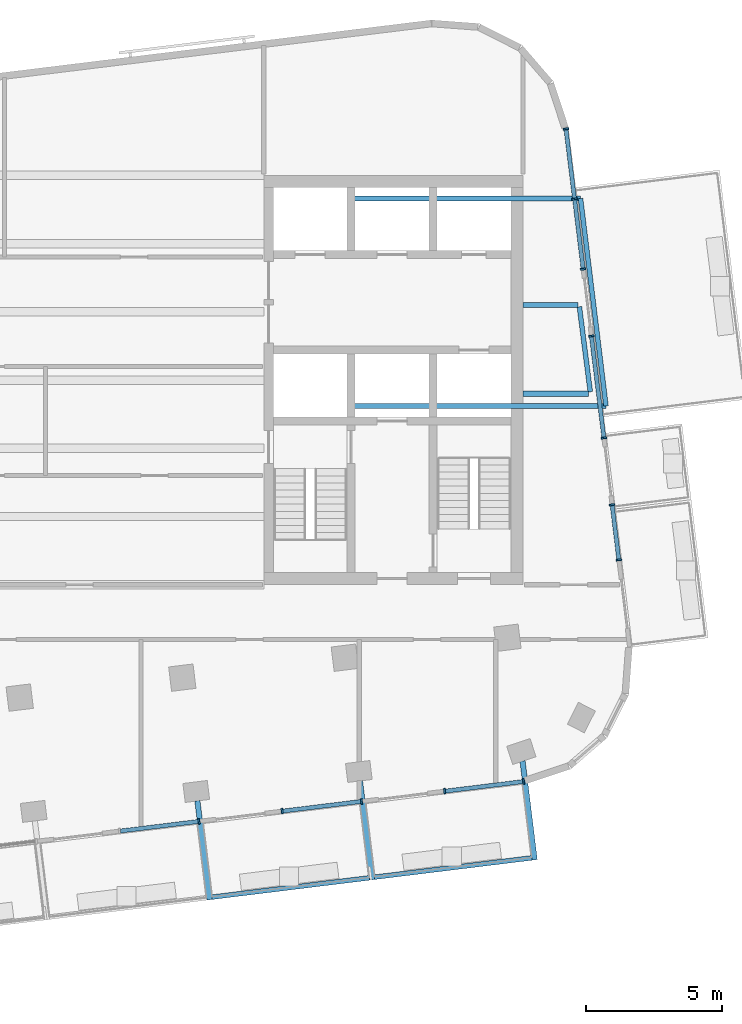
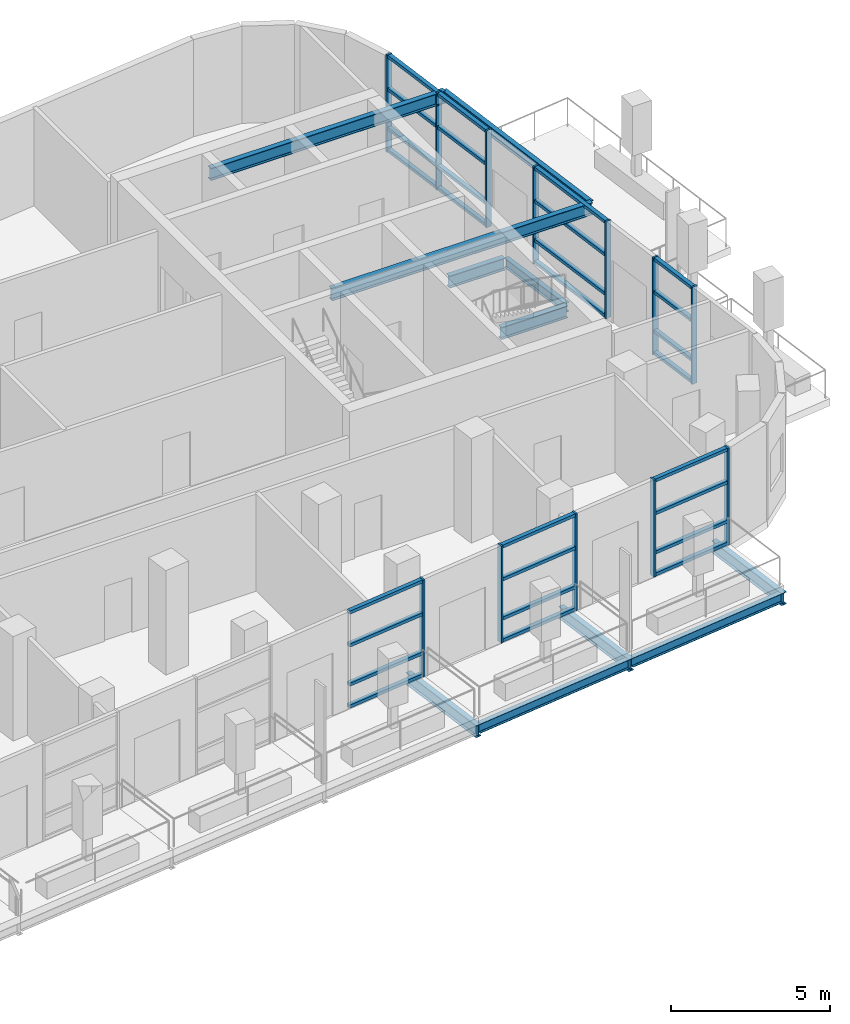
# One storey, part 4 of 14: 40 members, 11 beams, 6 elements without a shape of their own.
"""IFC4 building model written with IfcOpenShell, lengths in metres."""

from ifc_helpers import new_model, si_unit, direction, frame, origin, origin_2d, place, context, subcontext, project, spatial, rectangle, i_section, extrude, material, layer, layer_set, material_profile, profile_set, type_object, element, aggregate, save


model = new_model("IFC4")

# Units and contexts
model_context = context("Model", 3, precision=1e-05, world=origin(), true_north=direction((0.0, 1.0)))
body_context = subcontext(model_context, "Body", "Model", "MODEL_VIEW")
ifc_project = project(units=[si_unit("LENGTHUNIT", "METRE"), si_unit("AREAUNIT", "SQUARE_METRE"), si_unit("VOLUMEUNIT", "CUBIC_METRE"), si_unit("PLANEANGLEUNIT", "RADIAN"), si_unit("MASSUNIT", "GRAM", prefix="KILO")], contexts=[model_context])

# Site, building, storey
site_placement = place(None, origin())
site = spatial("IfcSite", under=ifc_project, at=site_placement, CompositionType="ELEMENT")
building_placement = place(site_placement, origin())
building = spatial("IfcBuilding", under=site, at=building_placement, Name="Torana Hotel and Residences", CompositionType="ELEMENT")
storey_placement = place(building_placement, frame((0.0, 0.0, 318.60009765625)))
storey = spatial("IfcBuildingStorey", under=building, at=storey_placement, Name="L84", CompositionType="ELEMENT", Elevation=318.60009765625)

# Beams
ifc_material_1 = material(Name="Steel S355", Category="steel")
ifc_material_profile_1 = material_profile(ifc_material_1, i_section(OverallWidth=0.19287109375, OverallDepth=0.46728515625, WebThickness=0.011474609375, FlangeThickness=0.01953125, FilletRadius=0.01025390625, at=origin_2d()), Name="457x191x98 UB")
ifc_profile_set_1 = profile_set([ifc_material_profile_1], Name="Steel S355")
beam_type_1 = type_object("IfcBeamType", Name="BALCONY CANTILEVER BEAM 457x191x98 UB", PredefinedType="BEAM", material=ifc_profile_set_1)
beam_1_placement = place(storey_placement, frame((7.568359375, -22.910400390625, -0.513671875), z_axis=(0.122014669663, -0.992528297021, 0.0), x_axis=(0.992528297021, 0.122014669663, 0.0)))
element("IfcBeam", 1, at=beam_1_placement, inside=storey, type_object=beam_type_1, Name="Balcony cantilever beam", PredefinedType="BEAM", context=body_context, shape_type="SweptSolid", body=[
    extrude(i_section(OverallWidth=0.19287109375, OverallDepth=0.46728515625, WebThickness=0.011474609375, FlangeThickness=0.01953125, FilletRadius=0.01025390625, at=origin_2d()), origin(), (0.0, 0.0, 1.0), 3.65966796875),
])
beam_2_placement = place(storey_placement, frame((13.5244140625, -22.178466796875, -0.513671875), z_axis=(0.12179331453, -0.992555483858, 0.0), x_axis=(0.992555483858, 0.12179331453, 0.0)))
element("IfcBeam", 2, at=beam_2_placement, inside=storey, type_object=beam_type_1, Name="Balcony cantilever beam", PredefinedType="BEAM", context=body_context, shape_type="SweptSolid", body=[
    extrude(i_section(OverallWidth=0.19287109375, OverallDepth=0.46728515625, WebThickness=0.011474609375, FlangeThickness=0.01953125, FilletRadius=0.01025390625, at=origin_2d()), origin(), (0.0, 0.0, 1.0), 3.660400390625),
])
beam_3_placement = place(storey_placement, frame((19.480224609375, -21.454345703125, -0.513671875), z_axis=(0.12183008487, -0.992550971195, 0.0), x_axis=(0.992550971195, 0.12183008487, 0.0)))
element("IfcBeam", 3, at=beam_3_placement, inside=storey, type_object=beam_type_1, Name="Balcony cantilever beam", PredefinedType="BEAM", context=body_context, shape_type="SweptSolid", body=[
    extrude(i_section(OverallWidth=0.19287109375, OverallDepth=0.46728515625, WebThickness=0.011474609375, FlangeThickness=0.01953125, FilletRadius=0.01025390625, at=origin_2d()), origin(), (0.0, 0.0, 1.0), 3.653076171875),
])
beam_4_placement = place(storey_placement, frame((19.489990234375, -8.0, -0.513671875), z_axis=(1.0, 0.0, 0.0), x_axis=(0.0, 1.0, 0.0)))
element("IfcBeam", 4, at=beam_4_placement, inside=storey, type_object=beam_type_1, Name="Balcony cantilever beam", PredefinedType="BEAM", context=body_context, shape_type="SweptSolid", body=[
    extrude(i_section(OverallWidth=0.19287109375, OverallDepth=0.46728515625, WebThickness=0.011474609375, FlangeThickness=0.01953125, FilletRadius=0.01025390625, at=origin_2d()), origin(), (0.0, 0.0, 1.0), 2.41552734375),
])
beam_5_placement = place(storey_placement, frame((19.489990234375, -4.75, -0.513671875), z_axis=(1.0, 0.0, 0.0), x_axis=(0.0, 1.0, 0.0)))
element("IfcBeam", 5, at=beam_5_placement, inside=storey, type_object=beam_type_1, Name="Balcony cantilever beam", PredefinedType="BEAM", context=body_context, shape_type="SweptSolid", body=[
    extrude(i_section(OverallWidth=0.19287109375, OverallDepth=0.46728515625, WebThickness=0.011474609375, FlangeThickness=0.01953125, FilletRadius=0.01025390625, at=origin_2d()), origin(), (0.0, 0.0, 1.0), 2.016357421875),
])
beam_6_placement = place(storey_placement, frame((22.537353515625, -8.449951171875, 3.486328125), z_axis=(-1.0, 0.0, 0.0), x_axis=(0.0, -1.0, 0.0)))
element("IfcBeam", 6, at=beam_6_placement, inside=storey, type_object=beam_type_1, Name="Balcony cantilever beam", PredefinedType="BEAM", context=body_context, shape_type="SweptSolid", body=[
    extrude(i_section(OverallWidth=0.19287109375, OverallDepth=0.46728515625, WebThickness=0.011474609375, FlangeThickness=0.01953125, FilletRadius=0.01025390625, at=origin_2d()), origin(), (0.0, 0.0, 1.0), 9.437255859375),
])
beam_7_placement = place(storey_placement, frame((21.60400390625, -0.85009765625, 3.486328125), z_axis=(-1.0, 0.0, 0.0), x_axis=(0.0, -1.0, 0.0)))
element("IfcBeam", 7, at=beam_7_placement, inside=storey, type_object=beam_type_1, Name="Balcony cantilever beam", PredefinedType="BEAM", context=body_context, shape_type="SweptSolid", body=[
    extrude(i_section(OverallWidth=0.19287109375, OverallDepth=0.46728515625, WebThickness=0.011474609375, FlangeThickness=0.01953125, FilletRadius=0.01025390625, at=origin_2d()), origin(), (0.0, 0.0, 1.0), 8.50390625),
])
ifc_material_2 = material(Name="Steel S355", Category="steel")
ifc_material_profile_2 = material_profile(ifc_material_2, i_section(OverallWidth=0.173095703125, OverallDepth=0.36328125, WebThickness=0.009033203125, FlangeThickness=0.015625, FilletRadius=0.01025390625, at=origin_2d()), Name="356x171x67 UB")
ifc_profile_set_2 = profile_set([ifc_material_profile_2], Name="Steel S355")
beam_type_2 = type_object("IfcBeamType", Name="BALCONY TIP BEAM 356x171x67 UB", PredefinedType="BEAM", material=ifc_profile_set_2)
beam_8_placement = place(storey_placement, frame((13.8935546875, -25.733642578125, -0.4619140625), z_axis=(-0.992544426795, -0.121883390327, 0.0), x_axis=(0.121883390327, -0.992544426795, 0.0)))
element("IfcBeam", 8, at=beam_8_placement, inside=storey, type_object=beam_type_2, Name="Balcony tip beam", PredefinedType="BEAM", context=body_context, shape_type="SweptSolid", body=[
    extrude(i_section(OverallWidth=0.173095703125, OverallDepth=0.36328125, WebThickness=0.009033203125, FlangeThickness=0.015625, FilletRadius=0.01025390625, at=origin_2d()), origin(), (0.0, 0.0, 1.0), 5.866943359375),
])
beam_9_placement = place(storey_placement, frame((19.848876953125, -25.00244140625, -0.4619140625), z_axis=(-0.992545044936, -0.121878356459, 0.0), x_axis=(0.121878356459, -0.992545044936, 0.0)))
element("IfcBeam", 9, at=beam_9_placement, inside=storey, type_object=beam_type_2, Name="Balcony tip beam", PredefinedType="BEAM", context=body_context, shape_type="SweptSolid", body=[
    extrude(i_section(OverallWidth=0.173095703125, OverallDepth=0.36328125, WebThickness=0.009033203125, FlangeThickness=0.015625, FilletRadius=0.01025390625, at=origin_2d()), origin(), (0.0, 0.0, 1.0), 5.8671875),
])
beam_10_placement = place(storey_placement, frame((21.9619140625, -7.93359375, -0.4619140625), z_axis=(-0.126940899221, 0.991910282286, 0.0), x_axis=(-0.991910282286, -0.126940899221, 0.0)))
element("IfcBeam", 10, at=beam_10_placement, inside=storey, type_object=beam_type_2, Name="Balcony tip beam", PredefinedType="BEAM", context=body_context, shape_type="SweptSolid", body=[
    extrude(i_section(OverallWidth=0.173095703125, OverallDepth=0.36328125, WebThickness=0.009033203125, FlangeThickness=0.015625, FilletRadius=0.01025390625, at=origin_2d()), origin(), (0.0, 0.0, 1.0), 3.142578125),
])
beam_11_placement = place(storey_placement, frame((22.537353515625, -8.449951171875, 3.5380859375), z_axis=(-0.1218957101, 0.992542913863, 0.0), x_axis=(-0.992542913863, -0.1218957101, 0.0)))
element("IfcBeam", 11, at=beam_11_placement, inside=storey, type_object=beam_type_2, Name="Balcony tip beam", PredefinedType="BEAM", context=body_context, shape_type="SweptSolid", body=[
    extrude(i_section(OverallWidth=0.173095703125, OverallDepth=0.36328125, WebThickness=0.009033203125, FlangeThickness=0.015625, FilletRadius=0.01025390625, at=origin_2d()), origin(), (0.0, 0.0, 1.0), 7.656982421875),
])

# Curtain wall, member
ifc_material_3 = material(Name="Dark anodised aluminium", Category="aluminium")
ifc_layer = layer(ifc_material_3, 0.199951171875)
ifc_layer_set = layer_set([ifc_layer], Name="CW3 SKY CLUB UNITISED CURTAIN WALL")
curtain_wall_type = type_object("IfcCurtainWallType", Name="CW3 SKY CLUB UNITISED CURTAIN WALL", PredefinedType="NOTDEFINED", material=ifc_layer_set)
curtain_wall_1_placement = place(storey_placement, origin())
curtain_wall_1 = element("IfcCurtainWall", 12, at=curtain_wall_1_placement, inside=storey, type_object=curtain_wall_type, Name="Curtain wall CW3 L84 e0.14-8", PredefinedType="NOTDEFINED")
ifc_material_4 = material(Name="Dark anodised aluminium", Category="aluminium")
ifc_material_profile_3 = material_profile(ifc_material_4, rectangle(XDim=0.199951171875, YDim=0.070068359375, at=origin_2d()), Name="CW3 MULLION 70x200")
ifc_profile_set_3 = profile_set([ifc_material_profile_3], Name="Dark anodised aluminium")
member_type_1 = type_object("IfcMemberType", Name="CW3 MULLION 70x200", PredefinedType="MULLION", material=ifc_profile_set_3)
member_1_placement = place(storey_placement, frame((7.626708984375, -23.668701171875, 0.0), z_axis=(0.0, 0.0, 1.0), x_axis=(-0.121868256929, 0.992546285043, 0.0)))
member_1 = element("IfcMember", 13, at=member_1_placement, type_object=member_type_1, Name="CW3 mullion 2", PredefinedType="MULLION", context=body_context, shape_type="SweptSolid", body=[
    extrude(rectangle(XDim=0.199951171875, YDim=0.070068359375, at=origin_2d()), origin(), (0.0, 0.0, 1.0), 3.719970703125),
])

# Curtain wall, members
curtain_wall_2_placement = place(storey_placement, origin())
curtain_wall_2 = element("IfcCurtainWall", 14, at=curtain_wall_2_placement, inside=storey, type_object=curtain_wall_type, Name="Curtain wall CW3 L84 e0.14-10", PredefinedType="NOTDEFINED")
member_2_placement = place(storey_placement, frame((10.673828125, -23.29443359375, 0.0), z_axis=(0.0, 0.0, 1.0), x_axis=(-0.121868256929, 0.992546285043, 0.0)))
member_2 = element("IfcMember", 15, at=member_2_placement, type_object=member_type_1, Name="CW3 mullion 1", PredefinedType="MULLION", context=body_context, shape_type="SweptSolid", body=[
    extrude(rectangle(XDim=0.199951171875, YDim=0.070068359375, at=origin_2d()), origin(), (0.0, 0.0, 1.0), 3.719970703125),
])
member_3_placement = place(storey_placement, frame((13.58203125, -22.9375, 0.0), z_axis=(0.0, 0.0, 1.0), x_axis=(-0.121868256929, 0.992546285043, 0.0)))
member_3 = element("IfcMember", 16, at=member_3_placement, type_object=member_type_1, Name="CW3 mullion 2", PredefinedType="MULLION", context=body_context, shape_type="SweptSolid", body=[
    extrude(rectangle(XDim=0.199951171875, YDim=0.070068359375, at=origin_2d()), origin(), (0.0, 0.0, 1.0), 3.719970703125),
])

curtain_wall_3_placement = place(storey_placement, origin())
curtain_wall_3 = element("IfcCurtainWall", 17, at=curtain_wall_3_placement, inside=storey, type_object=curtain_wall_type, Name="Curtain wall CW3 L84 e0.14-12", PredefinedType="NOTDEFINED")
member_4_placement = place(storey_placement, frame((16.629150390625, -22.563232421875, 0.0), z_axis=(0.0, 0.0, 1.0), x_axis=(-0.121862839581, 0.992546950189, 0.0)))
member_4 = element("IfcMember", 18, at=member_4_placement, type_object=member_type_1, Name="CW3 mullion 1", PredefinedType="MULLION", context=body_context, shape_type="SweptSolid", body=[
    extrude(rectangle(XDim=0.199951171875, YDim=0.070068359375, at=origin_2d()), origin(), (0.0, 0.0, 1.0), 3.719970703125),
])
member_5_placement = place(storey_placement, frame((19.512939453125, -22.209228515625, 0.0), z_axis=(0.0, 0.0, 1.0), x_axis=(-0.121862839581, 0.992546950189, 0.0)))
member_5 = element("IfcMember", 19, at=member_5_placement, type_object=member_type_1, Name="CW3 mullion 2", PredefinedType="MULLION", context=body_context, shape_type="SweptSolid", body=[
    extrude(rectangle(XDim=0.199951171875, YDim=0.070068359375, at=origin_2d()), origin(), (0.0, 0.0, 1.0), 3.719970703125),
])

curtain_wall_4_placement = place(storey_placement, origin())
curtain_wall_4 = element("IfcCurtainWall", 20, at=curtain_wall_4_placement, inside=storey, type_object=curtain_wall_type, Name="Curtain wall CW3 L84 e0.19-2", PredefinedType="NOTDEFINED")
member_6_placement = place(storey_placement, frame((23.0087890625, -14.087646484375, 0.0), z_axis=(0.0, 0.0, 1.0), x_axis=(-0.992540827019, -0.121912701141, 0.0)))
member_6 = element("IfcMember", 21, at=member_6_placement, type_object=member_type_1, Name="CW3 mullion 1", PredefinedType="MULLION", context=body_context, shape_type="SweptSolid", body=[
    extrude(rectangle(XDim=0.199951171875, YDim=0.070068359375, at=origin_2d()), origin(), (0.0, 0.0, 1.0), 3.719970703125),
])
member_7_placement = place(storey_placement, frame((22.76123046875, -12.072998046875, 0.0), z_axis=(0.0, 0.0, 1.0), x_axis=(-0.992540827019, -0.121912701141, 0.0)))
member_7 = element("IfcMember", 22, at=member_7_placement, type_object=member_type_1, Name="CW3 mullion 2", PredefinedType="MULLION", context=body_context, shape_type="SweptSolid", body=[
    extrude(rectangle(XDim=0.199951171875, YDim=0.070068359375, at=origin_2d()), origin(), (0.0, 0.0, 1.0), 3.719970703125),
])

curtain_wall_5_placement = place(storey_placement, origin())
curtain_wall_5 = element("IfcCurtainWall", 23, at=curtain_wall_5_placement, inside=storey, type_object=curtain_wall_type, Name="Curtain wall CW3 L84 e0.19-4", PredefinedType="NOTDEFINED")
member_8_placement = place(storey_placement, frame((22.46044921875, -9.621337890625, 0.0), z_axis=(0.0, 0.0, 1.0), x_axis=(-0.992544175414, -0.121885437403, 0.0)))
member_8 = element("IfcMember", 24, at=member_8_placement, type_object=member_type_1, Name="CW3 mullion 1", PredefinedType="MULLION", context=body_context, shape_type="SweptSolid", body=[
    extrude(rectangle(XDim=0.199951171875, YDim=0.070068359375, at=origin_2d()), origin(), (0.0, 0.0, 1.0), 3.719970703125),
])
member_9_placement = place(storey_placement, frame((22.001953125, -5.887939453125, 0.0), z_axis=(0.0, 0.0, 1.0), x_axis=(-0.992544175414, -0.121885437403, 0.0)))
member_9 = element("IfcMember", 25, at=member_9_placement, type_object=member_type_1, Name="CW3 mullion 2", PredefinedType="MULLION", context=body_context, shape_type="SweptSolid", body=[
    extrude(rectangle(XDim=0.199951171875, YDim=0.070068359375, at=origin_2d()), origin(), (0.0, 0.0, 1.0), 3.719970703125),
])

curtain_wall_6_placement = place(storey_placement, origin())
curtain_wall_6 = element("IfcCurtainWall", 26, at=curtain_wall_6_placement, inside=storey, type_object=curtain_wall_type, Name="Curtain wall CW3 L84 e0.19-6", PredefinedType="NOTDEFINED")
member_10_placement = place(storey_placement, frame((21.700927734375, -3.436279296875, 0.0), z_axis=(0.0, 0.0, 1.0), x_axis=(-0.992546004929, -0.121870538273, 0.0)))
member_10 = element("IfcMember", 27, at=member_10_placement, type_object=member_type_1, Name="CW3 mullion 1", PredefinedType="MULLION", context=body_context, shape_type="SweptSolid", body=[
    extrude(rectangle(XDim=0.199951171875, YDim=0.070068359375, at=origin_2d()), origin(), (0.0, 0.0, 1.0), 3.719970703125),
])
member_11_placement = place(storey_placement, frame((21.385498046875, -0.86865234375, 0.0), z_axis=(0.0, 0.0, 1.0), x_axis=(-0.992546004929, -0.121870538273, 0.0)))
member_11 = element("IfcMember", 28, at=member_11_placement, type_object=member_type_1, Name="CW3 mullion 2", PredefinedType="MULLION", context=body_context, shape_type="SweptSolid", body=[
    extrude(rectangle(XDim=0.199951171875, YDim=0.070068359375, at=origin_2d()), origin(), (0.0, 0.0, 1.0), 3.719970703125),
])
member_12_placement = place(storey_placement, frame((21.0703125, 1.69921875, 0.0), z_axis=(0.0, 0.0, 1.0), x_axis=(-0.992546004929, -0.121870538273, 0.0)))
member_12 = element("IfcMember", 29, at=member_12_placement, type_object=member_type_1, Name="CW3 mullion 3", PredefinedType="MULLION", context=body_context, shape_type="SweptSolid", body=[
    extrude(rectangle(XDim=0.199951171875, YDim=0.070068359375, at=origin_2d()), origin(), (0.0, 0.0, 1.0), 3.719970703125),
])

# Member
ifc_material_5 = material(Name="Dark anodised aluminium", Category="aluminium")
ifc_material_profile_4 = material_profile(ifc_material_5, rectangle(XDim=0.14990234375, YDim=0.1201171875, at=origin_2d()), Name="CW3 TRANSOM 150x120")
ifc_profile_set_4 = profile_set([ifc_material_profile_4], Name="Dark anodised aluminium")
member_type_2 = type_object("IfcMemberType", Name="CW3 TRANSOM 150x120", PredefinedType="USERDEFINED", material=ifc_profile_set_4)
member_13_placement = place(storey_placement, frame((4.753173828125, -24.021484375, 0.059814453125), z_axis=(0.992543455277, 0.121891301525, 0.0), x_axis=(-0.121891301525, 0.992543455277, 0.0)))
member_13 = element("IfcMember", 30, at=member_13_placement, type_object=member_type_2, Name="CW3 transom 1.1", ObjectType="TRANSOM", PredefinedType="USERDEFINED", context=body_context, shape_type="SweptSolid", body=[
    extrude(rectangle(XDim=0.14990234375, YDim=0.1201171875, at=origin_2d()), origin(), (0.0, 0.0, 1.0), 2.860107421875),
])

member_14_placement = place(storey_placement, frame((4.753173828125, -24.021484375, 0.89990234375), z_axis=(0.992543455277, 0.121891301525, 0.0), x_axis=(-0.121891301525, 0.992543455277, 0.0)))
member_14 = element("IfcMember", 31, at=member_14_placement, type_object=member_type_2, Name="CW3 transom 1.2", ObjectType="TRANSOM", PredefinedType="USERDEFINED", context=body_context, shape_type="SweptSolid", body=[
    extrude(rectangle(XDim=0.14990234375, YDim=0.1201171875, at=origin_2d()), origin(), (0.0, 0.0, 1.0), 2.860107421875),
])

member_15_placement = place(storey_placement, frame((4.753173828125, -24.021484375, 2.39990234375), z_axis=(0.992543455277, 0.121891301525, 0.0), x_axis=(-0.121891301525, 0.992543455277, 0.0)))
member_15 = element("IfcMember", 32, at=member_15_placement, type_object=member_type_2, Name="CW3 transom 1.3", ObjectType="TRANSOM", PredefinedType="USERDEFINED", context=body_context, shape_type="SweptSolid", body=[
    extrude(rectangle(XDim=0.14990234375, YDim=0.1201171875, at=origin_2d()), origin(), (0.0, 0.0, 1.0), 2.860107421875),
])

member_16_placement = place(storey_placement, frame((4.753173828125, -24.021484375, 3.659912109375), z_axis=(0.992543455277, 0.121891301525, 0.0), x_axis=(-0.121891301525, 0.992543455277, 0.0)))
member_16 = element("IfcMember", 33, at=member_16_placement, type_object=member_type_2, Name="CW3 transom 1.4", ObjectType="TRANSOM", PredefinedType="USERDEFINED", context=body_context, shape_type="SweptSolid", body=[
    extrude(rectangle(XDim=0.14990234375, YDim=0.1201171875, at=origin_2d()), origin(), (0.0, 0.0, 1.0), 2.860107421875),
])

aggregate(curtain_wall_1, [member_1, member_13, member_14, member_15, member_16])

member_17_placement = place(storey_placement, frame((10.70849609375, -23.290283203125, 0.059814453125), z_axis=(0.992542186909, 0.121901629217, 0.0), x_axis=(-0.121901629217, 0.992542186909, 0.0)))
member_17 = element("IfcMember", 34, at=member_17_placement, type_object=member_type_2, Name="CW3 transom 1.1", ObjectType="TRANSOM", PredefinedType="USERDEFINED", context=body_context, shape_type="SweptSolid", body=[
    extrude(rectangle(XDim=0.14990234375, YDim=0.1201171875, at=origin_2d()), origin(), (0.0, 0.0, 1.0), 2.85986328125),
])

member_18_placement = place(storey_placement, frame((10.70849609375, -23.290283203125, 0.89990234375), z_axis=(0.992542186909, 0.121901629217, 0.0), x_axis=(-0.121901629217, 0.992542186909, 0.0)))
member_18 = element("IfcMember", 35, at=member_18_placement, type_object=member_type_2, Name="CW3 transom 1.2", ObjectType="TRANSOM", PredefinedType="USERDEFINED", context=body_context, shape_type="SweptSolid", body=[
    extrude(rectangle(XDim=0.14990234375, YDim=0.1201171875, at=origin_2d()), origin(), (0.0, 0.0, 1.0), 2.85986328125),
])

member_19_placement = place(storey_placement, frame((10.70849609375, -23.290283203125, 2.39990234375), z_axis=(0.992542186909, 0.121901629217, 0.0), x_axis=(-0.121901629217, 0.992542186909, 0.0)))
member_19 = element("IfcMember", 36, at=member_19_placement, type_object=member_type_2, Name="CW3 transom 1.3", ObjectType="TRANSOM", PredefinedType="USERDEFINED", context=body_context, shape_type="SweptSolid", body=[
    extrude(rectangle(XDim=0.14990234375, YDim=0.1201171875, at=origin_2d()), origin(), (0.0, 0.0, 1.0), 2.85986328125),
])

member_20_placement = place(storey_placement, frame((10.70849609375, -23.290283203125, 3.659912109375), z_axis=(0.992542186909, 0.121901629217, 0.0), x_axis=(-0.121901629217, 0.992542186909, 0.0)))
member_20 = element("IfcMember", 37, at=member_20_placement, type_object=member_type_2, Name="CW3 transom 1.4", ObjectType="TRANSOM", PredefinedType="USERDEFINED", context=body_context, shape_type="SweptSolid", body=[
    extrude(rectangle(XDim=0.14990234375, YDim=0.1201171875, at=origin_2d()), origin(), (0.0, 0.0, 1.0), 2.85986328125),
])

aggregate(curtain_wall_2, [member_2, member_3, member_17, member_18, member_19, member_20])

member_21_placement = place(storey_placement, frame((16.663818359375, -22.55908203125, 0.059814453125), z_axis=(0.992549667858, 0.1218407027, 0.0), x_axis=(-0.1218407027, 0.992549667858, 0.0)))
member_21 = element("IfcMember", 38, at=member_21_placement, type_object=member_type_2, Name="CW3 transom 1.1", ObjectType="TRANSOM", PredefinedType="USERDEFINED", context=body_context, shape_type="SweptSolid", body=[
    extrude(rectangle(XDim=0.14990234375, YDim=0.1201171875, at=origin_2d()), origin(), (0.0, 0.0, 1.0), 2.83544921875),
])

member_22_placement = place(storey_placement, frame((16.663818359375, -22.55908203125, 0.89990234375), z_axis=(0.992549667858, 0.1218407027, 0.0), x_axis=(-0.1218407027, 0.992549667858, 0.0)))
member_22 = element("IfcMember", 39, at=member_22_placement, type_object=member_type_2, Name="CW3 transom 1.2", ObjectType="TRANSOM", PredefinedType="USERDEFINED", context=body_context, shape_type="SweptSolid", body=[
    extrude(rectangle(XDim=0.14990234375, YDim=0.1201171875, at=origin_2d()), origin(), (0.0, 0.0, 1.0), 2.83544921875),
])

member_23_placement = place(storey_placement, frame((16.663818359375, -22.55908203125, 2.39990234375), z_axis=(0.992549667858, 0.1218407027, 0.0), x_axis=(-0.1218407027, 0.992549667858, 0.0)))
member_23 = element("IfcMember", 40, at=member_23_placement, type_object=member_type_2, Name="CW3 transom 1.3", ObjectType="TRANSOM", PredefinedType="USERDEFINED", context=body_context, shape_type="SweptSolid", body=[
    extrude(rectangle(XDim=0.14990234375, YDim=0.1201171875, at=origin_2d()), origin(), (0.0, 0.0, 1.0), 2.83544921875),
])

member_24_placement = place(storey_placement, frame((16.663818359375, -22.55908203125, 3.659912109375), z_axis=(0.992549667858, 0.1218407027, 0.0), x_axis=(-0.1218407027, 0.992549667858, 0.0)))
member_24 = element("IfcMember", 41, at=member_24_placement, type_object=member_type_2, Name="CW3 transom 1.4", ObjectType="TRANSOM", PredefinedType="USERDEFINED", context=body_context, shape_type="SweptSolid", body=[
    extrude(rectangle(XDim=0.14990234375, YDim=0.1201171875, at=origin_2d()), origin(), (0.0, 0.0, 1.0), 2.83544921875),
])

aggregate(curtain_wall_3, [member_4, member_5, member_21, member_22, member_23, member_24])

member_25_placement = place(storey_placement, frame((23.00439453125, -14.052978515625, 0.059814453125), z_axis=(-0.121826713669, 0.992551384985, 0.0), x_axis=(-0.992551384985, -0.121826713669, 0.0)))
member_25 = element("IfcMember", 42, at=member_25_placement, type_object=member_type_2, Name="CW3 transom 1.1", ObjectType="TRANSOM", PredefinedType="USERDEFINED", context=body_context, shape_type="SweptSolid", body=[
    extrude(rectangle(XDim=0.14990234375, YDim=0.1201171875, at=origin_2d()), origin(), (0.0, 0.0, 1.0), 1.9599609375),
])

member_26_placement = place(storey_placement, frame((23.00439453125, -14.052978515625, 0.89990234375), z_axis=(-0.121826713669, 0.992551384985, 0.0), x_axis=(-0.992551384985, -0.121826713669, 0.0)))
member_26 = element("IfcMember", 43, at=member_26_placement, type_object=member_type_2, Name="CW3 transom 1.2", ObjectType="TRANSOM", PredefinedType="USERDEFINED", context=body_context, shape_type="SweptSolid", body=[
    extrude(rectangle(XDim=0.14990234375, YDim=0.1201171875, at=origin_2d()), origin(), (0.0, 0.0, 1.0), 1.9599609375),
])

member_27_placement = place(storey_placement, frame((23.00439453125, -14.052978515625, 2.39990234375), z_axis=(-0.121826713669, 0.992551384985, 0.0), x_axis=(-0.992551384985, -0.121826713669, 0.0)))
member_27 = element("IfcMember", 44, at=member_27_placement, type_object=member_type_2, Name="CW3 transom 1.3", ObjectType="TRANSOM", PredefinedType="USERDEFINED", context=body_context, shape_type="SweptSolid", body=[
    extrude(rectangle(XDim=0.14990234375, YDim=0.1201171875, at=origin_2d()), origin(), (0.0, 0.0, 1.0), 1.9599609375),
])

member_28_placement = place(storey_placement, frame((23.00439453125, -14.052978515625, 3.659912109375), z_axis=(-0.121826713669, 0.992551384985, 0.0), x_axis=(-0.992551384985, -0.121826713669, 0.0)))
member_28 = element("IfcMember", 45, at=member_28_placement, type_object=member_type_2, Name="CW3 transom 1.4", ObjectType="TRANSOM", PredefinedType="USERDEFINED", context=body_context, shape_type="SweptSolid", body=[
    extrude(rectangle(XDim=0.14990234375, YDim=0.1201171875, at=origin_2d()), origin(), (0.0, 0.0, 1.0), 1.9599609375),
])

aggregate(curtain_wall_4, [member_6, member_7, member_25, member_26, member_27, member_28])

member_29_placement = place(storey_placement, frame((22.4560546875, -9.586669921875, 0.059814453125), z_axis=(-0.121885586458, 0.99254415711, 0.0), x_axis=(-0.99254415711, -0.121885586458, 0.0)))
member_29 = element("IfcMember", 46, at=member_29_placement, type_object=member_type_2, Name="CW3 transom 1.1", ObjectType="TRANSOM", PredefinedType="USERDEFINED", context=body_context, shape_type="SweptSolid", body=[
    extrude(rectangle(XDim=0.14990234375, YDim=0.1201171875, at=origin_2d()), origin(), (0.0, 0.0, 1.0), 3.691650390625),
])

member_30_placement = place(storey_placement, frame((22.4560546875, -9.586669921875, 0.89990234375), z_axis=(-0.121885586458, 0.99254415711, 0.0), x_axis=(-0.99254415711, -0.121885586458, 0.0)))
member_30 = element("IfcMember", 47, at=member_30_placement, type_object=member_type_2, Name="CW3 transom 1.2", ObjectType="TRANSOM", PredefinedType="USERDEFINED", context=body_context, shape_type="SweptSolid", body=[
    extrude(rectangle(XDim=0.14990234375, YDim=0.1201171875, at=origin_2d()), origin(), (0.0, 0.0, 1.0), 3.691650390625),
])

member_31_placement = place(storey_placement, frame((22.4560546875, -9.586669921875, 2.39990234375), z_axis=(-0.121885586458, 0.99254415711, 0.0), x_axis=(-0.99254415711, -0.121885586458, 0.0)))
member_31 = element("IfcMember", 48, at=member_31_placement, type_object=member_type_2, Name="CW3 transom 1.3", ObjectType="TRANSOM", PredefinedType="USERDEFINED", context=body_context, shape_type="SweptSolid", body=[
    extrude(rectangle(XDim=0.14990234375, YDim=0.1201171875, at=origin_2d()), origin(), (0.0, 0.0, 1.0), 3.691650390625),
])

member_32_placement = place(storey_placement, frame((22.4560546875, -9.586669921875, 3.659912109375), z_axis=(-0.121885586458, 0.99254415711, 0.0), x_axis=(-0.99254415711, -0.121885586458, 0.0)))
member_32 = element("IfcMember", 49, at=member_32_placement, type_object=member_type_2, Name="CW3 transom 1.4", ObjectType="TRANSOM", PredefinedType="USERDEFINED", context=body_context, shape_type="SweptSolid", body=[
    extrude(rectangle(XDim=0.14990234375, YDim=0.1201171875, at=origin_2d()), origin(), (0.0, 0.0, 1.0), 3.691650390625),
])

aggregate(curtain_wall_5, [member_8, member_9, member_29, member_30, member_31, member_32])

member_33_placement = place(storey_placement, frame((21.696533203125, -3.401611328125, 0.059814453125), z_axis=(-0.12182592217, 0.992551482135, 0.0), x_axis=(-0.992551482135, -0.12182592217, 0.0)))
member_33 = element("IfcMember", 50, at=member_33_placement, type_object=member_type_2, Name="CW3 transom 1.1", ObjectType="TRANSOM", PredefinedType="USERDEFINED", context=body_context, shape_type="SweptSolid", body=[
    extrude(rectangle(XDim=0.14990234375, YDim=0.1201171875, at=origin_2d()), origin(), (0.0, 0.0, 1.0), 2.51708984375),
])

member_34_placement = place(storey_placement, frame((21.696533203125, -3.401611328125, 0.89990234375), z_axis=(-0.12182592217, 0.992551482135, 0.0), x_axis=(-0.992551482135, -0.12182592217, 0.0)))
member_34 = element("IfcMember", 51, at=member_34_placement, type_object=member_type_2, Name="CW3 transom 1.2", ObjectType="TRANSOM", PredefinedType="USERDEFINED", context=body_context, shape_type="SweptSolid", body=[
    extrude(rectangle(XDim=0.14990234375, YDim=0.1201171875, at=origin_2d()), origin(), (0.0, 0.0, 1.0), 2.51708984375),
])

member_35_placement = place(storey_placement, frame((21.696533203125, -3.401611328125, 2.39990234375), z_axis=(-0.12182592217, 0.992551482135, 0.0), x_axis=(-0.992551482135, -0.12182592217, 0.0)))
member_35 = element("IfcMember", 52, at=member_35_placement, type_object=member_type_2, Name="CW3 transom 1.3", ObjectType="TRANSOM", PredefinedType="USERDEFINED", context=body_context, shape_type="SweptSolid", body=[
    extrude(rectangle(XDim=0.14990234375, YDim=0.1201171875, at=origin_2d()), origin(), (0.0, 0.0, 1.0), 2.51708984375),
])

member_36_placement = place(storey_placement, frame((21.696533203125, -3.401611328125, 3.659912109375), z_axis=(-0.12182592217, 0.992551482135, 0.0), x_axis=(-0.992551482135, -0.12182592217, 0.0)))
member_36 = element("IfcMember", 53, at=member_36_placement, type_object=member_type_2, Name="CW3 transom 1.4", ObjectType="TRANSOM", PredefinedType="USERDEFINED", context=body_context, shape_type="SweptSolid", body=[
    extrude(rectangle(XDim=0.14990234375, YDim=0.1201171875, at=origin_2d()), origin(), (0.0, 0.0, 1.0), 2.51708984375),
])

member_37_placement = place(storey_placement, frame((21.38134765625, -0.833740234375, 0.059814453125), z_axis=(-0.12193321463, 0.992538307155, 0.0), x_axis=(-0.992538307155, -0.12193321463, 0.0)))
member_37 = element("IfcMember", 54, at=member_37_placement, type_object=member_type_2, Name="CW3 transom 2.1", ObjectType="TRANSOM", PredefinedType="USERDEFINED", context=body_context, shape_type="SweptSolid", body=[
    extrude(rectangle(XDim=0.14990234375, YDim=0.1201171875, at=origin_2d()), origin(), (0.0, 0.0, 1.0), 2.516845703125),
])

member_38_placement = place(storey_placement, frame((21.38134765625, -0.833740234375, 0.89990234375), z_axis=(-0.12193321463, 0.992538307155, 0.0), x_axis=(-0.992538307155, -0.12193321463, 0.0)))
member_38 = element("IfcMember", 55, at=member_38_placement, type_object=member_type_2, Name="CW3 transom 2.2", ObjectType="TRANSOM", PredefinedType="USERDEFINED", context=body_context, shape_type="SweptSolid", body=[
    extrude(rectangle(XDim=0.14990234375, YDim=0.1201171875, at=origin_2d()), origin(), (0.0, 0.0, 1.0), 2.516845703125),
])

member_39_placement = place(storey_placement, frame((21.38134765625, -0.833740234375, 2.39990234375), z_axis=(-0.12193321463, 0.992538307155, 0.0), x_axis=(-0.992538307155, -0.12193321463, 0.0)))
member_39 = element("IfcMember", 56, at=member_39_placement, type_object=member_type_2, Name="CW3 transom 2.3", ObjectType="TRANSOM", PredefinedType="USERDEFINED", context=body_context, shape_type="SweptSolid", body=[
    extrude(rectangle(XDim=0.14990234375, YDim=0.1201171875, at=origin_2d()), origin(), (0.0, 0.0, 1.0), 2.516845703125),
])

member_40_placement = place(storey_placement, frame((21.38134765625, -0.833740234375, 3.659912109375), z_axis=(-0.12193321463, 0.992538307155, 0.0), x_axis=(-0.992538307155, -0.12193321463, 0.0)))
member_40 = element("IfcMember", 57, at=member_40_placement, type_object=member_type_2, Name="CW3 transom 2.4", ObjectType="TRANSOM", PredefinedType="USERDEFINED", context=body_context, shape_type="SweptSolid", body=[
    extrude(rectangle(XDim=0.14990234375, YDim=0.1201171875, at=origin_2d()), origin(), (0.0, 0.0, 1.0), 2.516845703125),
])

aggregate(curtain_wall_6, [member_10, member_11, member_12, member_33, member_34, member_35, member_36, member_37, member_38, member_39, member_40])

save(model, "model.ifc")
